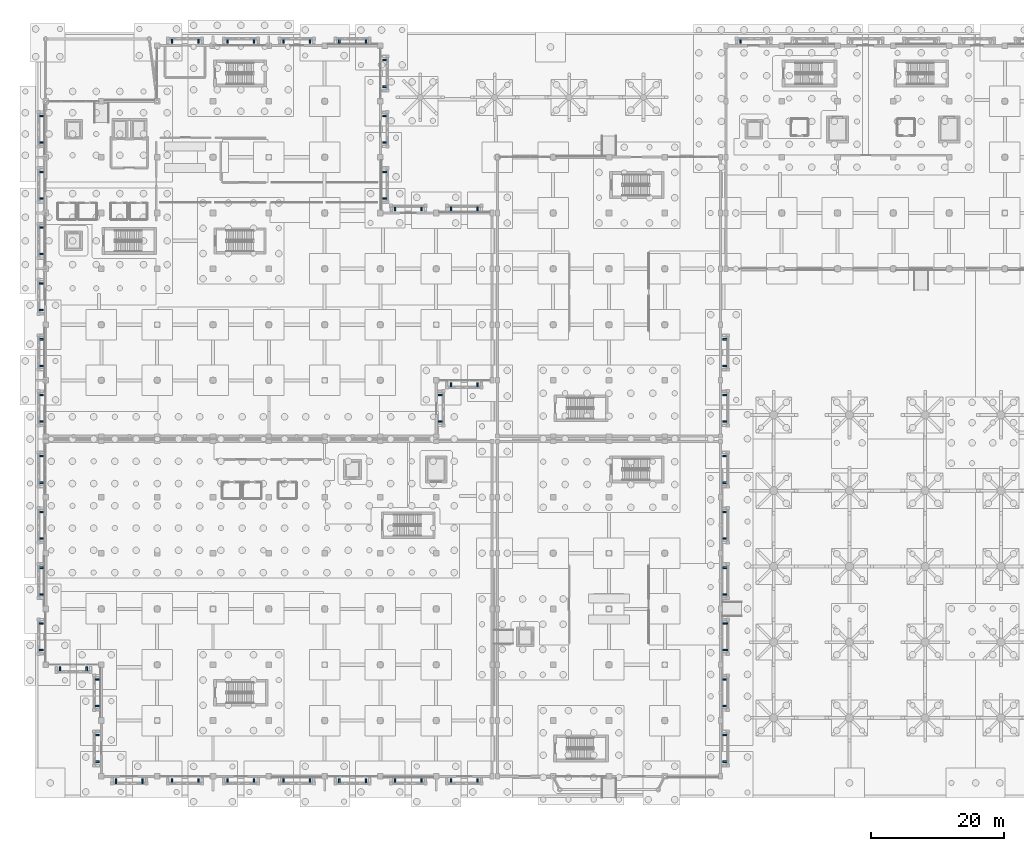
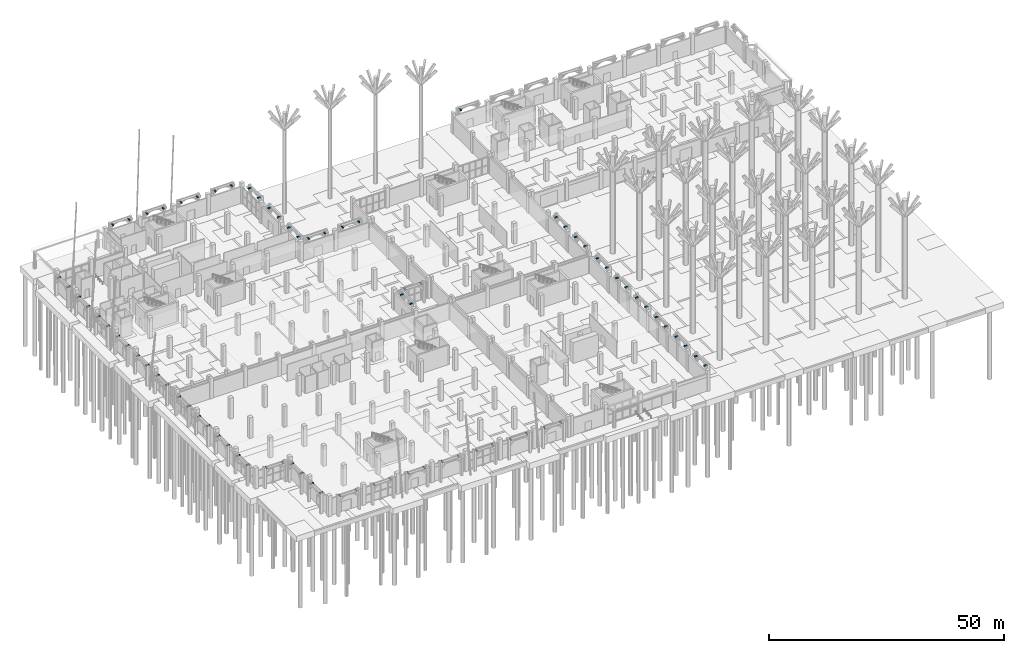
# One storey, part 76 of 98: 79 discrete accessories.
"""IFC4 building model written with IfcOpenShell, lengths in metres."""

from ifc_helpers import new_model, si_unit, direction, frame, origin, origin_2d, place, context, subcontext, project, spatial, rectangle, extrude, material, type_object, element, save


model = new_model("IFC4")

# Units and contexts
model_context = context("Model", 3, precision=1e-05, world=origin(), true_north=direction((0.0, 1.0)))
body_context = subcontext(model_context, "Body", "Model", "MODEL_VIEW")
ifc_project = project(units=[si_unit("LENGTHUNIT", "METRE"), si_unit("AREAUNIT", "SQUARE_METRE"), si_unit("VOLUMEUNIT", "CUBIC_METRE"), si_unit("PLANEANGLEUNIT", "RADIAN"), si_unit("MASSUNIT", "GRAM", prefix="KILO")], contexts=[model_context])

# Site, building, storey
site_placement = place(None, origin())
site = spatial("IfcSite", under=ifc_project, at=site_placement, CompositionType="ELEMENT")
building_placement = place(site_placement, origin())
building = spatial("IfcBuilding", under=site, at=building_placement, Name="Xazarin Passage Department Store", CompositionType="ELEMENT")
storey_placement = place(building_placement, origin())
storey = spatial("IfcBuildingStorey", under=building, at=storey_placement, Name="L00", CompositionType="ELEMENT", Elevation=0.0)

# Discrete accessories
ifc_material = material(Name="Steel S355", Category="steel")
discrete_accessory_type = type_object("IfcDiscreteAccessoryType", Name="ARC-BRK-S355-A", PredefinedType="BRACKET", material=ifc_material)
for number, where, z_axis, x_axis, name in (
    (1, (19.0, 110.699951171875, 4.740234375), (0.0, 0.0, 1.0), (1.0, 0.0, 0.0), "L00 V1 Spandrel Tie Bracket 0001"),
    (2, (23.0, 110.699951171875, 4.740234375), (0.0, 0.0, 1.0), (1.0, 0.0, 0.0), "L00 V1 Spandrel Tie Bracket 0002"),
    (3, (27.39990234375, 110.699951171875, 4.740234375), (0.0, 0.0, 1.0), (1.0, 0.0, 0.0), "L00 V1 Spandrel Tie Bracket 0017"),
    (4, (31.39990234375, 110.699951171875, 4.740234375), (0.0, 0.0, 1.0), (1.0, 0.0, 0.0), "L00 V1 Spandrel Tie Bracket 0018"),
    (5, (35.800048828125, 110.699951171875, 4.740234375), (0.0, 0.0, 1.0), (1.0, 0.0, 0.0), "L00 V1 Spandrel Tie Bracket 0033"),
    (6, (39.800048828125, 110.699951171875, 4.740234375), (0.0, 0.0, 1.0), (1.0, 0.0, 0.0), "L00 V1 Spandrel Tie Bracket 0034"),
    (7, (44.199951171875, 110.699951171875, 4.740234375), (0.0, 0.0, 1.0), (1.0, 0.0, 0.0), "L00 V1 Spandrel Tie Bracket 0045"),
    (8, (48.199951171875, 110.699951171875, 4.740234375), (0.0, 0.0, 1.0), (1.0, 0.0, 0.0), "L00 V1 Spandrel Tie Bracket 0046"),
    (9, (52.60009765625, 85.5, 4.740234375), (0.0, 0.0, 1.0), (1.0, 0.0, 0.0), "L00 V1 Spandrel Tie Bracket 0053"),
    (10, (56.60009765625, 85.5, 4.740234375), (0.0, 0.0, 1.0), (1.0, 0.0, 0.0), "L00 V1 Spandrel Tie Bracket 0054"),
    (11, (61.0, 58.89990234375, 4.740234375), (0.0, 0.0, 1.0), (1.0, 0.0, 0.0), "L00 V1 Spandrel Tie Bracket 0061"),
    (12, (65.0, 58.89990234375, 4.740234375), (0.0, 0.0, 1.0), (1.0, 0.0, 0.0), "L00 V1 Spandrel Tie Bracket 0062"),
    (13, (61.0, 85.5, 4.740234375), (0.0, 0.0, 1.0), (1.0, 0.0, 0.0), "L00 V1 Spandrel Tie Bracket 0065"),
    (14, (65.0, 85.5, 4.740234375), (0.0, 0.0, 1.0), (1.0, 0.0, 0.0), "L00 V1 Spandrel Tie Bracket 0066"),
    (15, (-0.699951171875, 53.39990234375, 4.740234375), (0.0, 0.0, 1.0), (0.0, 1.0, 0.0), "L00 V1 Spandrel Tie Bracket 0073"),
    (16, (-0.699951171875, 57.39990234375, 4.740234375), (0.0, 0.0, 1.0), (0.0, 1.0, 0.0), "L00 V1 Spandrel Tie Bracket 0074"),
    (17, (-0.699951171875, 61.800048828125, 4.740234375), (0.0, 0.0, 1.0), (0.0, 1.0, 0.0), "L00 V1 Spandrel Tie Bracket 0077"),
    (18, (-0.699951171875, 65.800048828125, 4.740234375), (0.0, 0.0, 1.0), (0.0, 1.0, 0.0), "L00 V1 Spandrel Tie Bracket 0078"),
    (19, (-0.699951171875, 70.199951171875, 4.740234375), (0.0, 0.0, 1.0), (0.0, 1.0, 0.0), "L00 V1 Spandrel Tie Bracket 0083"),
    (20, (-0.699951171875, 74.199951171875, 4.740234375), (0.0, 0.0, 1.0), (0.0, 1.0, 0.0), "L00 V1 Spandrel Tie Bracket 0084"),
    (21, (-0.699951171875, 78.60009765625, 4.740234375), (0.0, 0.0, 1.0), (0.0, 1.0, 0.0), "L00 V1 Spandrel Tie Bracket 0093"),
    (22, (-0.699951171875, 82.60009765625, 4.740234375), (0.0, 0.0, 1.0), (0.0, 1.0, 0.0), "L00 V1 Spandrel Tie Bracket 0094"),
    (23, (-0.699951171875, 87.0, 4.740234375), (0.0, 0.0, 1.0), (0.0, 1.0, 0.0), "L00 V1 Spandrel Tie Bracket 0109"),
    (24, (-0.699951171875, 91.0, 4.740234375), (0.0, 0.0, 1.0), (0.0, 1.0, 0.0), "L00 V1 Spandrel Tie Bracket 0110"),
    (25, (-0.699951171875, 95.39990234375, 4.740234375), (0.0, 0.0, 1.0), (0.0, 1.0, 0.0), "L00 V1 Spandrel Tie Bracket 0125"),
    (26, (-0.699951171875, 99.39990234375, 4.740234375), (0.0, 0.0, 1.0), (0.0, 1.0, 0.0), "L00 V1 Spandrel Tie Bracket 0126"),
    (27, (51.10009765625, 87.0, 4.740234375), (0.0, 0.0, 1.0), (0.0, 1.0, 0.0), "L00 V1 Spandrel Tie Bracket 0141"),
    (28, (51.10009765625, 91.0, 4.740234375), (0.0, 0.0, 1.0), (0.0, 1.0, 0.0), "L00 V1 Spandrel Tie Bracket 0142"),
    (29, (51.10009765625, 95.39990234375, 4.740234375), (0.0, 0.0, 1.0), (0.0, 1.0, 0.0), "L00 V1 Spandrel Tie Bracket 0149"),
    (30, (51.10009765625, 99.39990234375, 4.740234375), (0.0, 0.0, 1.0), (0.0, 1.0, 0.0), "L00 V1 Spandrel Tie Bracket 0150"),
    (31, (51.10009765625, 103.800048828125, 4.740234375), (0.0, 0.0, 1.0), (0.0, 1.0, 0.0), "L00 V1 Spandrel Tie Bracket 0157"),
    (32, (51.10009765625, 107.800048828125, 4.740234375), (0.0, 0.0, 1.0), (0.0, 1.0, 0.0), "L00 V1 Spandrel Tie Bracket 0158"),
    (33, (59.5, 53.39990234375, 4.740234375), (0.0, 0.0, 1.0), (0.0, 1.0, 0.0), "L00 V1 Spandrel Tie Bracket 0165"),
    (34, (59.5, 57.39990234375, 4.740234375), (0.0, 0.0, 1.0), (0.0, 1.0, 0.0), "L00 V1 Spandrel Tie Bracket 0166"),
    (35, (102.300048828125, 2.199951171875, 4.740234375), (0.0, 0.0, 1.0), (0.0, 1.0, 0.0), "L00 V2S Spandrel Tie Bracket 0167"),
    (36, (102.300048828125, 6.199951171875, 4.740234375), (0.0, 0.0, 1.0), (0.0, 1.0, 0.0), "L00 V2S Spandrel Tie Bracket 0168"),
    (37, (102.300048828125, 10.60009765625, 4.740234375), (0.0, 0.0, 1.0), (0.0, 1.0, 0.0), "L00 V2S Spandrel Tie Bracket 0173"),
    (38, (102.300048828125, 14.60009765625, 4.740234375), (0.0, 0.0, 1.0), (0.0, 1.0, 0.0), "L00 V2S Spandrel Tie Bracket 0174"),
    (39, (102.300048828125, 19.0, 4.740234375), (0.0, 0.0, 1.0), (0.0, 1.0, 0.0), "L00 V2S Spandrel Tie Bracket 0179"),
    (40, (102.300048828125, 23.0, 4.740234375), (0.0, 0.0, 1.0), (0.0, 1.0, 0.0), "L00 V2S Spandrel Tie Bracket 0180"),
    (41, (102.300048828125, 27.39990234375, 4.740234375), (0.0, 0.0, 1.0), (0.0, 1.0, 0.0), "L00 V2S Spandrel Tie Bracket 0185"),
    (42, (102.300048828125, 31.39990234375, 4.740234375), (0.0, 0.0, 1.0), (0.0, 1.0, 0.0), "L00 V2S Spandrel Tie Bracket 0186"),
    (43, (102.300048828125, 35.800048828125, 4.740234375), (0.0, 0.0, 1.0), (0.0, 1.0, 0.0), "L00 V2S Spandrel Tie Bracket 0191"),
    (44, (102.300048828125, 39.800048828125, 4.740234375), (0.0, 0.0, 1.0), (0.0, 1.0, 0.0), "L00 V2S Spandrel Tie Bracket 0192"),
    (45, (102.300048828125, 44.199951171875, 4.740234375), (0.0, 0.0, 1.0), (0.0, 1.0, 0.0), "L00 V2S Spandrel Tie Bracket 0197"),
    (46, (102.300048828125, 48.199951171875, 4.740234375), (0.0, 0.0, 1.0), (0.0, 1.0, 0.0), "L00 V2S Spandrel Tie Bracket 0198"),
    (47, (102.300048828125, 53.39990234375, 4.740234375), (0.0, 0.0, 1.0), (0.0, 1.0, 0.0), "L00 V2N Spandrel Tie Bracket 0203"),
    (48, (102.300048828125, 57.39990234375, 4.740234375), (0.0, 0.0, 1.0), (0.0, 1.0, 0.0), "L00 V2N Spandrel Tie Bracket 0204"),
    (49, (102.300048828125, 61.800048828125, 4.740234375), (0.0, 0.0, 1.0), (0.0, 1.0, 0.0), "L00 V2N Spandrel Tie Bracket 0209"),
    (50, (102.300048828125, 65.800048828125, 4.740234375), (0.0, 0.0, 1.0), (0.0, 1.0, 0.0), "L00 V2N Spandrel Tie Bracket 0210"),
    (51, (2.199951171875, 16.10009765625, 4.740234375), (0.0, 0.0, 1.0), (1.0, 0.0, 0.0), "L00 V3 Spandrel Tie Bracket 0215"),
    (52, (6.199951171875, 16.10009765625, 4.740234375), (0.0, 0.0, 1.0), (1.0, 0.0, 0.0), "L00 V3 Spandrel Tie Bracket 0216"),
    (53, (10.60009765625, -0.699951171875, 4.740234375), (0.0, 0.0, 1.0), (1.0, 0.0, 0.0), "L00 V3 Spandrel Tie Bracket 0219"),
    (54, (14.60009765625, -0.699951171875, 4.740234375), (0.0, 0.0, 1.0), (1.0, 0.0, 0.0), "L00 V3 Spandrel Tie Bracket 0220"),
    (55, (19.0, -0.699951171875, 4.740234375), (0.0, 0.0, 1.0), (1.0, 0.0, 0.0), "L00 V3 Spandrel Tie Bracket 0225"),
    (56, (23.0, -0.699951171875, 4.740234375), (0.0, 0.0, 1.0), (1.0, 0.0, 0.0), "L00 V3 Spandrel Tie Bracket 0226"),
    (57, (27.39990234375, -0.699951171875, 4.740234375), (0.0, 0.0, 1.0), (1.0, 0.0, 0.0), "L00 V3 Spandrel Tie Bracket 0231"),
    (58, (31.39990234375, -0.699951171875, 4.740234375), (0.0, 0.0, 1.0), (1.0, 0.0, 0.0), "L00 V3 Spandrel Tie Bracket 0232"),
    (59, (35.800048828125, -0.699951171875, 4.740234375), (0.0, 0.0, 1.0), (1.0, 0.0, 0.0), "L00 V3 Spandrel Tie Bracket 0237"),
    (60, (39.800048828125, -0.699951171875, 4.740234375), (0.0, 0.0, 1.0), (1.0, 0.0, 0.0), "L00 V3 Spandrel Tie Bracket 0238"),
    (61, (44.199951171875, -0.699951171875, 4.740234375), (0.0, 0.0, 1.0), (1.0, 0.0, 0.0), "L00 V3 Spandrel Tie Bracket 0243"),
    (62, (48.199951171875, -0.699951171875, 4.740234375), (0.0, 0.0, 1.0), (1.0, 0.0, 0.0), "L00 V3 Spandrel Tie Bracket 0244"),
    (63, (52.60009765625, -0.699951171875, 4.740234375), (0.0, 0.0, 1.0), (1.0, 0.0, 0.0), "L00 V3 Spandrel Tie Bracket 0249"),
    (64, (56.60009765625, -0.699951171875, 4.740234375), (0.0, 0.0, 1.0), (1.0, 0.0, 0.0), "L00 V3 Spandrel Tie Bracket 0250"),
    (65, (61.0, -0.699951171875, 4.740234375), (0.0, 0.0, 1.0), (1.0, 0.0, 0.0), "L00 V3 Spandrel Tie Bracket 0255"),
    (66, (65.0, -0.699951171875, 4.740234375), (0.0, 0.0, 1.0), (1.0, 0.0, 0.0), "L00 V3 Spandrel Tie Bracket 0256"),
    (67, (-0.699951171875, 19.0, 4.740234375), (0.0, 0.0, 1.0), (0.0, 1.0, 0.0), "L00 V3 Spandrel Tie Bracket 0261"),
    (68, (-0.699951171875, 23.0, 4.740234375), (0.0, 0.0, 1.0), (0.0, 1.0, 0.0), "L00 V3 Spandrel Tie Bracket 0262"),
    (69, (-0.699951171875, 27.39990234375, 4.740234375), (0.0, 0.0, 1.0), (0.0, 1.0, 0.0), "L00 V3 Spandrel Tie Bracket 0265"),
    (70, (-0.699951171875, 31.39990234375, 4.740234375), (0.0, 0.0, 1.0), (0.0, 1.0, 0.0), "L00 V3 Spandrel Tie Bracket 0266"),
    (71, (-0.699951171875, 35.800048828125, 4.740234375), (0.0, 0.0, 1.0), (0.0, 1.0, 0.0), "L00 V3 Spandrel Tie Bracket 0269"),
    (72, (-0.699951171875, 39.800048828125, 4.740234375), (0.0, 0.0, 1.0), (0.0, 1.0, 0.0), "L00 V3 Spandrel Tie Bracket 0270"),
    (73, (-0.699951171875, 44.199951171875, 4.740234375), (0.0, 0.0, 1.0), (0.0, 1.0, 0.0), "L00 V3 Spandrel Tie Bracket 0273"),
    (74, (-0.699951171875, 48.199951171875, 4.740234375), (0.0, 0.0, 1.0), (0.0, 1.0, 0.0), "L00 V3 Spandrel Tie Bracket 0274"),
    (75, (7.699951171875, 2.199951171875, 4.740234375), (0.0, 0.0, 1.0), (0.0, 1.0, 0.0), "L00 V3 Spandrel Tie Bracket 0277"),
    (76, (7.699951171875, 6.199951171875, 4.740234375), (0.0, 0.0, 1.0), (0.0, 1.0, 0.0), "L00 V3 Spandrel Tie Bracket 0278"),
    (77, (7.699951171875, 10.60009765625, 4.740234375), (0.0, 0.0, 1.0), (0.0, 1.0, 0.0), "L00 V3 Spandrel Tie Bracket 0283"),
    (78, (7.699951171875, 14.60009765625, 4.740234375), (0.0, 0.0, 1.0), (0.0, 1.0, 0.0), "L00 V3 Spandrel Tie Bracket 0284"),
    (79, (104.60009765625, 110.699951171875, 4.740234375), (0.0, 0.0, 1.0), (1.0, 0.0, 0.0), "L00 V4 Spandrel Tie Bracket 0289"),
):
    element("IfcDiscreteAccessory", number, at=place(storey_placement, frame(where, z_axis=z_axis, x_axis=x_axis)), inside=storey, type_object=discrete_accessory_type, Name=name, PredefinedType="BRACKET", context=body_context, shape_type="SweptSolid", body=[
        extrude(rectangle(XDim=0.239990234375, YDim=0.75, at=origin_2d()), origin(), (0.0, 0.0, 1.0), 0.219970703125),
    ])

save(model, "model.ifc")
